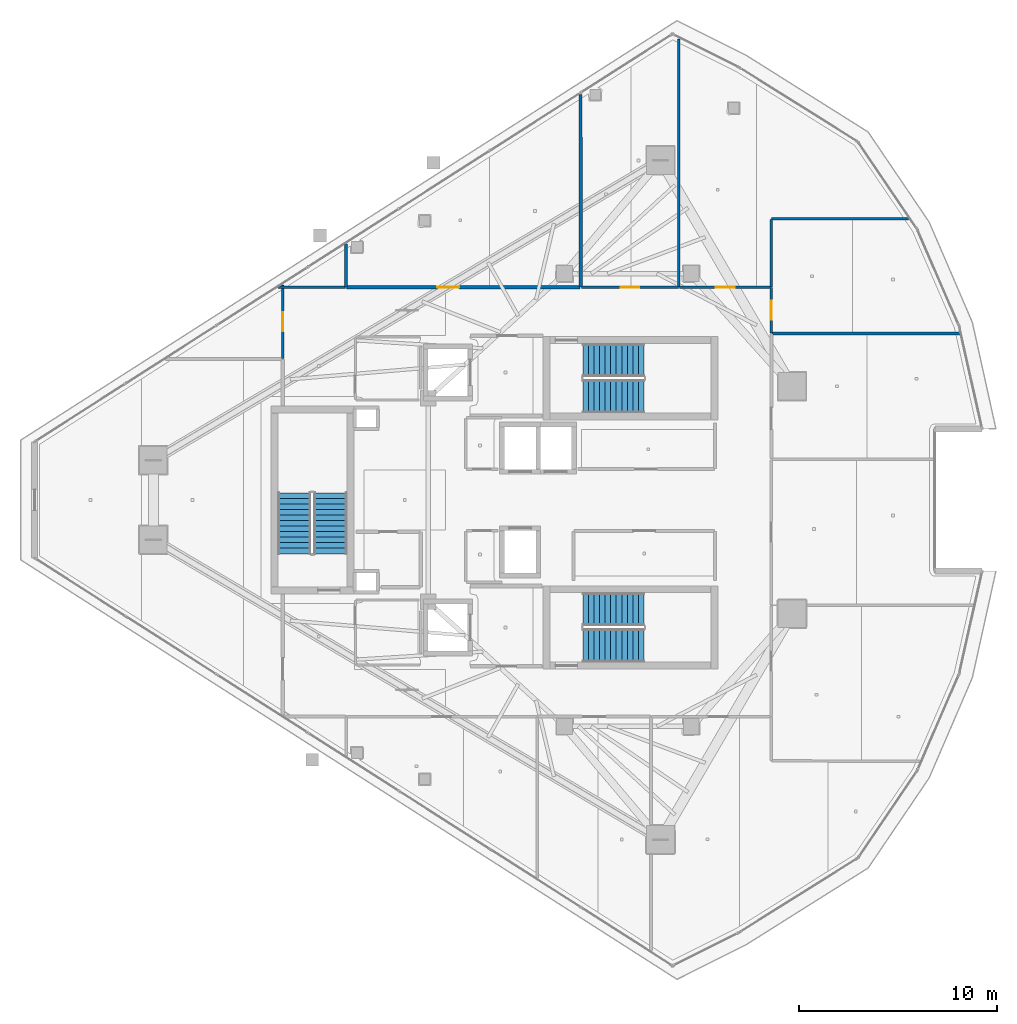
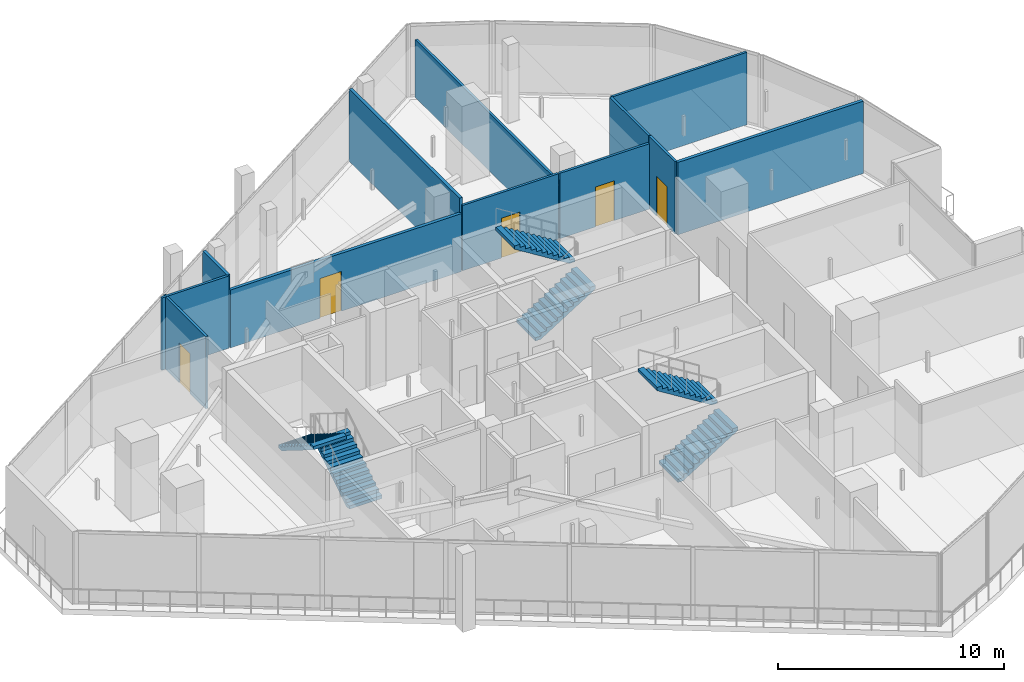
# One storey, part 23 of 30: 12 walls, 6 stair flights, 5 doors, 5 openings, 3 elements without a shape of their own.
"""IFC4 building model written with IfcOpenShell, lengths in metres."""

from ifc_helpers import new_model, si_unit, direction, frame, frame_2d, origin, place, context, subcontext, project, spatial, polyline, rectangle, outline, extrude, material, layer, layer_set, type_object, element, fill, aggregate, save


model = new_model("IFC4")

# Units and contexts
model_context = context("Model", 3, precision=1e-05, world=origin(), true_north=direction((0.0, 1.0)))
body_context = subcontext(model_context, "Body", "Model", "MODEL_VIEW")
ifc_project = project(units=[si_unit("LENGTHUNIT", "METRE"), si_unit("AREAUNIT", "SQUARE_METRE"), si_unit("VOLUMEUNIT", "CUBIC_METRE"), si_unit("PLANEANGLEUNIT", "RADIAN"), si_unit("MASSUNIT", "GRAM", prefix="KILO")], contexts=[model_context])

# Site, building, storey
site_placement = place(None, origin())
site = spatial("IfcSite", under=ifc_project, at=site_placement, CompositionType="ELEMENT")
building_placement = place(site_placement, origin())
building = spatial("IfcBuilding", under=site, at=building_placement, Name="Qorvath Tower", CompositionType="ELEMENT")
storey_placement = place(building_placement, frame((0.0, 0.0, 289.199951171875)))
storey = spatial("IfcBuildingStorey", under=building, at=storey_placement, Name="L67", CompositionType="ELEMENT", Elevation=289.199951171875)

# Wall
ifc_material_1 = material(Name="Double acoustic gypsum board on steel studs", Category="steel")
ifc_layer_1 = layer(ifc_material_1, 0.159912109375)
ifc_layer_set_1 = layer_set([ifc_layer_1], Name="IW-ACOUSTIC-160")
wall_type_1 = type_object("IfcWallType", Name="IW-ACOUSTIC-160", PredefinedType="PARTITIONING", material=ifc_layer_set_1)
wall_1_placement = place(storey_placement, frame((-34.64990234375, 12.936279296875, 0.0), z_axis=(0.0, 0.0, 1.0), x_axis=(0.0, -1.0, 0.0)))
element("IfcWall", 1, at=wall_1_placement, inside=storey, type_object=wall_type_1, Name="Interior Partition IW-T1-L67-027", PredefinedType="PARTITIONING", context=body_context, shape_type="SweptSolid", body=[
    extrude(rectangle(XDim=2.153076171875, YDim=0.159912109375, at=frame_2d((1.07666015625, 0.0))), origin(), (0.0, 0.0, 1.0), 3.91015625),
])

# Wall, opening, door
wall_2_placement = place(storey_placement, frame((-34.625, 10.758056640625, 0.0), z_axis=(0.0, 0.0, 1.0), x_axis=(1.0, 0.0, 0.0)))
wall_2 = element("IfcWall", 2, at=wall_2_placement, inside=storey, type_object=wall_type_1, Name="Interior Partition IW-T1-L67-028", PredefinedType="PARTITIONING", context=body_context, shape_type="SweptSolid", body=[
    extrude(rectangle(XDim=11.814208984375, YDim=0.159912109375, at=frame_2d((5.9072265625, 0.0))), origin(), (0.0, 0.0, 1.0), 3.130126953125),
])
opening_1_placement = place(wall_2_placement, frame((4.591796875, 0.0, 0.0)))
opening_1 = element("IfcOpeningElement", 3, at=opening_1_placement, cuts=wall_2, Name="Opening D-T1-L67-08", PredefinedType="OPENING", context=body_context, shape_type="SweptSolid", body=[
    extrude(rectangle(XDim=1.10009765625, YDim=2.14990234375, at=frame_2d((0.550048828125, 1.074951171875))), frame((0.0, 0.08984375, 0.0), z_axis=(0.0, -1.0, 0.0), x_axis=(1.0, 0.0, 0.0)), (0.0, 0.0, 1.0), 0.179931640625),
])
ifc_material_2 = material(Name="Anodised aluminium acoustic framed glass", Category="aluminium")
door_type_1 = type_object("IfcDoorType", Name="D-03", OperationType="NOTDEFINED", PredefinedType="DOOR", material=ifc_material_2)
door_1_placement = place(opening_1_placement, origin())
door_1 = element("IfcDoor", 4, at=door_1_placement, inside=storey, type_object=door_type_1, Name="L67-01 Client Services Office Door D-T1-L67-08", OperationType="SINGLE_SWING_RIGHT", OverallHeight=2.14990234375, OverallWidth=1.10009765625, PredefinedType="DOOR", context=body_context, shape_type="SweptSolid", body=[
    extrude(rectangle(XDim=1.10009765625, YDim=2.14990234375, at=frame_2d((0.550048828125, 1.074951171875))), frame((0.0, 0.02490234375, 0.0), z_axis=(0.0, -1.0, 0.0), x_axis=(1.0, 0.0, 0.0)), (0.0, 0.0, 1.0), 0.050048828125),
])
fill(opening_1, door_1)

# Walls
wall_3_placement = place(storey_placement, frame((-22.785888671875, 10.783203125, 0.0), z_axis=(0.0, 0.0, 1.0), x_axis=(-0.000351158802, 0.999999938344, 0.0)))
element("IfcWall", 5, at=wall_3_placement, inside=storey, type_object=wall_type_1, Name="Interior Partition IW-T1-L67-029", PredefinedType="PARTITIONING", context=body_context, shape_type="SweptSolid", body=[
    extrude(rectangle(XDim=9.7333984375, YDim=0.159912109375, at=frame_2d((4.86669921875, 0.0))), origin(), (0.0, 0.0, 1.0), 3.91015625),
])
wall_4_placement = place(storey_placement, frame((-3.639892578125, 8.41796875, 0.0), z_axis=(0.0, 0.0, 1.0), x_axis=(-1.0, 0.0, 0.0)))
element("IfcWall", 6, at=wall_4_placement, inside=storey, type_object=wall_type_1, Name="Interior Partition IW-T1-L67-048", PredefinedType="PARTITIONING", context=body_context, shape_type="SweptSolid", body=[
    extrude(rectangle(XDim=9.477294921875, YDim=0.159912109375, at=frame_2d((4.73876953125, 0.0))), origin(), (0.0, 0.0, 1.0), 3.91015625),
])

# Wall, opening, door
ifc_material_3 = material(Name="Gypsum board on metal studs with mineral wool", Category="gypsum")
ifc_layer_2 = layer(ifc_material_3, 0.125)
ifc_layer_set_2 = layer_set([ifc_layer_2], Name="IW-PART-125")
wall_type_2 = type_object("IfcWallType", Name="IW-PART-125", PredefinedType="PARTITIONING", material=ifc_layer_set_2)
wall_5_placement = place(storey_placement, frame((-22.752685546875, 10.758056640625, 0.0), z_axis=(0.0, 0.0, 1.0), x_axis=(1.0, 0.0, 0.0)))
wall_5 = element("IfcWall", 7, at=wall_5_placement, inside=storey, type_object=wall_type_2, Name="Interior Partition IW-T1-L67-030", PredefinedType="PARTITIONING", context=body_context, shape_type="SweptSolid", body=[
    extrude(rectangle(XDim=4.910400390625, YDim=0.125, at=frame_2d((2.455078125, 0.0))), origin(), (0.0, 0.0, 1.0), 3.529052734375),
])
opening_2_placement = place(wall_5_placement, frame((1.980224609375, 0.0, 0.0)))
opening_2 = element("IfcOpeningElement", 8, at=opening_2_placement, cuts=wall_5, Name="Opening D-T1-L67-09", PredefinedType="OPENING", context=body_context, shape_type="SweptSolid", body=[
    extrude(rectangle(XDim=0.949951171875, YDim=2.14990234375, at=frame_2d((0.47509765625, 1.074951171875))), frame((0.0, 0.072509765625, 0.0), z_axis=(0.0, -1.0, 0.0), x_axis=(1.0, 0.0, 0.0)), (0.0, 0.0, 1.0), 0.14501953125),
])
ifc_material_4 = material(Name="Solid-core American white oak veneer", Category="wood")
door_type_2 = type_object("IfcDoorType", Name="D-01", OperationType="NOTDEFINED", PredefinedType="DOOR", material=ifc_material_4)
door_2_placement = place(opening_2_placement, origin())
door_2 = element("IfcDoor", 9, at=door_2_placement, inside=storey, type_object=door_type_2, Name="L67-02 Staff Wellness Studio Door D-T1-L67-09", OperationType="SINGLE_SWING_LEFT", OverallHeight=2.14990234375, OverallWidth=0.949951171875, PredefinedType="DOOR", context=body_context, shape_type="SweptSolid", body=[
    extrude(rectangle(XDim=0.949951171875, YDim=2.14990234375, at=frame_2d((0.47509765625, 1.074951171875))), frame((0.0, 0.02490234375, 0.0), z_axis=(0.0, -1.0, 0.0), x_axis=(1.0, 0.0, 0.0)), (0.0, 0.0, 1.0), 0.050048828125),
])
fill(opening_2, door_2)

# Wall
wall_6_placement = place(storey_placement, frame((-17.8173828125, 10.783203125, 0.0), z_axis=(0.0, 0.0, 1.0), x_axis=(0.0, 1.0, 0.0)))
element("IfcWall", 10, at=wall_6_placement, inside=storey, type_object=wall_type_2, Name="Interior Partition IW-T1-L67-031", PredefinedType="PARTITIONING", context=body_context, shape_type="SweptSolid", body=[
    extrude(rectangle(XDim=12.5380859375, YDim=0.125, at=frame_2d((6.26904296875, 0.0))), origin(), (0.0, 0.0, 1.0), 3.130126953125),
])

# Wall, opening, door
wall_7_placement = place(storey_placement, frame((-17.78466796875, 10.758056640625, 0.0), z_axis=(0.0, 0.0, 1.0), x_axis=(1.0, 0.0, 0.0)))
wall_7 = element("IfcWall", 11, at=wall_7_placement, inside=storey, type_object=wall_type_2, Name="Interior Partition IW-T1-L67-032", PredefinedType="PARTITIONING", context=body_context, shape_type="SweptSolid", body=[
    extrude(rectangle(XDim=4.60986328125, YDim=0.125, at=frame_2d((2.304931640625, 0.0))), origin(), (0.0, 0.0, 1.0), 3.529052734375),
])
opening_3_placement = place(wall_7_placement, frame((1.829833984375, 0.0, 0.0)))
opening_3 = element("IfcOpeningElement", 12, at=opening_3_placement, cuts=wall_7, Name="Opening D-T1-L67-10", PredefinedType="OPENING", context=body_context, shape_type="SweptSolid", body=[
    extrude(rectangle(XDim=0.949951171875, YDim=2.14990234375, at=frame_2d((0.47509765625, 1.074951171875))), frame((0.0, 0.072509765625, 0.0), z_axis=(0.0, -1.0, 0.0), x_axis=(1.0, 0.0, 0.0)), (0.0, 0.0, 1.0), 0.14501953125),
])
door_3_placement = place(opening_3_placement, origin())
door_3 = element("IfcDoor", 13, at=door_3_placement, inside=storey, type_object=door_type_2, Name="L67-03 Design Pin-Up Atelier Door D-T1-L67-10", OperationType="SINGLE_SWING_RIGHT", OverallHeight=2.14990234375, OverallWidth=0.949951171875, PredefinedType="DOOR", context=body_context, shape_type="SweptSolid", body=[
    extrude(rectangle(XDim=0.949951171875, YDim=2.14990234375, at=frame_2d((0.47509765625, 1.074951171875))), frame((0.0, 0.02490234375, 0.0), z_axis=(0.0, -1.0, 0.0), x_axis=(1.0, 0.0, 0.0)), (0.0, 0.0, 1.0), 0.050048828125),
])
fill(opening_3, door_3)

# Walls
wall_8_placement = place(storey_placement, frame((-13.14990234375, 10.783203125, 0.0), z_axis=(0.0, 0.0, 1.0), x_axis=(0.0, 1.0, 0.0)))
element("IfcWall", 14, at=wall_8_placement, inside=storey, type_object=wall_type_2, Name="Interior Partition IW-T1-L67-033", PredefinedType="PARTITIONING", context=body_context, shape_type="SweptSolid", body=[
    extrude(rectangle(XDim=3.4169921875, YDim=0.125, at=frame_2d((1.70849609375, 0.0))), origin(), (0.0, 0.0, 1.0), 3.91015625),
])
wall_9_placement = place(storey_placement, frame((-13.125, 14.22509765625, 0.0), z_axis=(0.0, 0.0, 1.0), x_axis=(0.999998736945, 0.001589373898, 0.0)))
element("IfcWall", 15, at=wall_9_placement, inside=storey, type_object=wall_type_2, Name="Interior Partition IW-T1-L67-034", PredefinedType="PARTITIONING", context=body_context, shape_type="SweptSolid", body=[
    extrude(rectangle(XDim=6.912353515625, YDim=0.125, at=frame_2d((3.4560546875, 0.0))), origin(), (0.0, 0.0, 1.0), 3.91015625),
])

# Wall, opening, door
wall_10_placement = place(storey_placement, frame((-13.14208984375, 10.75830078125, 0.0), z_axis=(0.0, 0.0, 1.0), x_axis=(0.0, -1.0, 0.0)))
wall_10 = element("IfcWall", 16, at=wall_10_placement, inside=storey, type_object=wall_type_2, Name="Interior Partition IW-T1-L67-050", PredefinedType="PARTITIONING", context=body_context, shape_type="SweptSolid", body=[
    extrude(rectangle(XDim=2.307373046875, YDim=0.125, at=frame_2d((1.15380859375, 0.0))), origin(), (0.0, 0.0, 1.0), 3.91015625),
])
opening_4_placement = place(wall_10_placement, frame((0.6787109375, 0.0, 0.0)))
opening_4 = element("IfcOpeningElement", 17, at=opening_4_placement, cuts=wall_10, Name="Opening D-T1-L67-17", PredefinedType="OPENING", context=body_context, shape_type="SweptSolid", body=[
    extrude(rectangle(XDim=0.949951171875, YDim=2.14990234375, at=frame_2d((0.47509765625, 1.074951171875))), frame((0.0, 0.072509765625, 0.0), z_axis=(0.0, -1.0, 0.0), x_axis=(1.0, 0.0, 0.0)), (0.0, 0.0, 1.0), 0.14501953125),
])
door_4_placement = place(opening_4_placement, origin())
door_4 = element("IfcDoor", 18, at=door_4_placement, inside=storey, type_object=door_type_2, Name="L67-10 Focus Collaboration Pod Door D-T1-L67-17", OperationType="SINGLE_SWING_LEFT", OverallHeight=2.14990234375, OverallWidth=0.949951171875, PredefinedType="DOOR", context=body_context, shape_type="SweptSolid", body=[
    extrude(rectangle(XDim=0.949951171875, YDim=2.14990234375, at=frame_2d((0.47509765625, 1.074951171875))), frame((0.0, 0.02490234375, 0.0), z_axis=(0.0, -1.0, 0.0), x_axis=(1.0, 0.0, 0.0)), (0.0, 0.0, 1.0), 0.050048828125),
])
fill(opening_4, door_4)

wall_11_placement = place(storey_placement, frame((-37.85791015625, 7.159912109375, 0.0), z_axis=(0.0, 0.0, 1.0), x_axis=(0.0, 1.0, 0.0)))
wall_11 = element("IfcWall", 19, at=wall_11_placement, inside=storey, type_object=wall_type_2, Name="Interior Partition IW-T1-L67-055", PredefinedType="PARTITIONING", context=body_context, shape_type="SweptSolid", body=[
    extrude(rectangle(XDim=3.72607421875, YDim=0.125, at=frame_2d((1.863037109375, 0.0))), origin(), (0.0, 0.0, 1.0), 3.91015625),
])
opening_5_placement = place(wall_11_placement, frame((1.387939453125, 0.0, 0.0)))
opening_5 = element("IfcOpeningElement", 20, at=opening_5_placement, cuts=wall_11, Name="Opening D-T1-L67-19", PredefinedType="OPENING", context=body_context, shape_type="SweptSolid", body=[
    extrude(rectangle(XDim=0.949951171875, YDim=2.14990234375, at=frame_2d((0.47509765625, 1.074951171875))), frame((0.0, 0.072509765625, 0.0), z_axis=(0.0, -1.0, 0.0), x_axis=(1.0, 0.0, 0.0)), (0.0, 0.0, 1.0), 0.14501953125),
])
door_5_placement = place(opening_5_placement, origin())
door_5 = element("IfcDoor", 21, at=door_5_placement, inside=storey, type_object=door_type_2, Name="L67-12 Executive Partner Office Door D-T1-L67-19", OperationType="SINGLE_SWING_LEFT", OverallHeight=2.14990234375, OverallWidth=0.949951171875, PredefinedType="DOOR", context=body_context, shape_type="SweptSolid", body=[
    extrude(rectangle(XDim=0.949951171875, YDim=2.14990234375, at=frame_2d((0.47509765625, 1.074951171875))), frame((0.0, 0.02490234375, 0.0), z_axis=(0.0, -1.0, 0.0), x_axis=(1.0, 0.0, 0.0)), (0.0, 0.0, 1.0), 0.050048828125),
])
fill(opening_5, door_5)

# Wall
wall_12_placement = place(storey_placement, frame((-34.68310546875, 10.758056640625, 0.0), z_axis=(0.0, 0.0, 1.0), x_axis=(-1.0, 0.0, 0.0)))
element("IfcWall", 22, at=wall_12_placement, inside=storey, type_object=wall_type_2, Name="Interior Partition IW-T1-L67-056", PredefinedType="PARTITIONING", context=body_context, shape_type="SweptSolid", body=[
    extrude(rectangle(XDim=3.419921875, YDim=0.125, at=frame_2d((1.7099609375, 0.0))), origin(), (0.0, 0.0, 1.0), 3.91015625),
])

# Stair, stair flights
ifc_material_5 = material(Name="Concrete C50/60", Category="concrete")
stair_type = type_object("IfcStairType", Name="ST-H420", PredefinedType="HALF_TURN_STAIR", material=ifc_material_5)
stair_1_placement = place(storey_placement, origin())
stair_1 = element("IfcStair", 23, at=stair_1_placement, inside=storey, type_object=stair_type, Name="L67 Tower Exit Stair 1", PredefinedType="HALF_TURN_STAIR")
ifc_material_6 = material(Name="Concrete C50/60", Category="concrete")
ifc_layer_3 = layer(ifc_material_6, 0.14990234375)
ifc_layer_set_3 = layer_set([ifc_layer_3], Name="SF-H420")
stair_flight_type = type_object("IfcStairFlightType", Name="SF-H420", PredefinedType="STRAIGHT", material=ifc_layer_set_3)
stair_flight_1_placement = place(storey_placement, frame((-22.669921875, 5.239990234375, 0.0), z_axis=(0.0, 0.0, 1.0), x_axis=(1.0, 0.0, 0.0)))
stair_flight_1 = element("IfcStairFlight", 24, at=stair_flight_1_placement, type_object=stair_flight_type, Name="TS1 flight 1", NumberOfRisers=12, NumberOfTreads=11, PredefinedType="STRAIGHT", RiserHeight=0.175, TreadLength=0.28, context=body_context, shape_type="SweptSolid", body=[
    extrude(outline(polyline([(0.0, 0.0), (0.0, 0.175048828125), (0.280029296875, 0.175048828125), (0.280029296875, 0.35009765625), (0.56005859375, 0.35009765625), (0.56005859375, 0.52490234375), (0.840087890625, 0.52490234375), (0.840087890625, 0.699951171875), (1.1201171875, 0.699951171875), (1.1201171875, 0.875), (1.39990234375, 0.875), (1.39990234375, 1.050048828125), (1.679931640625, 1.050048828125), (1.679931640625, 1.22509765625), (1.9599609375, 1.22509765625), (1.9599609375, 1.39990234375), (2.239990234375, 1.39990234375), (2.239990234375, 1.574951171875), (2.52001953125, 1.574951171875), (2.52001953125, 1.75), (2.800048828125, 1.75), (2.800048828125, 1.925048828125), (3.080078125, 1.925048828125), (3.080078125, 2.10009765625), (3.080078125, 1.748291015625), (0.28271484375, 0.0), (0.0, 0.0)])), frame((0.0, 0.83984375, 0.0), z_axis=(0.0, -1.0, 0.0), x_axis=(1.0, 0.0, 0.0)), (0.0, 0.0, 1.0), 1.679931640625),
])
stair_flight_2_placement = place(storey_placement, frame((-19.590087890625, 7.070068359375, 2.10009765625), z_axis=(0.0, 0.0, 1.0), x_axis=(-1.0, 0.0, 0.0)))
stair_flight_2 = element("IfcStairFlight", 25, at=stair_flight_2_placement, type_object=stair_flight_type, Name="TS1 flight 2", NumberOfRisers=12, NumberOfTreads=11, PredefinedType="STRAIGHT", RiserHeight=0.175, TreadLength=0.28, context=body_context, shape_type="SweptSolid", body=[
    extrude(outline(polyline([(0.0, 0.0), (0.0, 0.175048828125), (0.280029296875, 0.175048828125), (0.280029296875, 0.35009765625), (0.56005859375, 0.35009765625), (0.56005859375, 0.52490234375), (0.840087890625, 0.52490234375), (0.840087890625, 0.699951171875), (1.1201171875, 0.699951171875), (1.1201171875, 0.875), (1.39990234375, 0.875), (1.39990234375, 1.050048828125), (1.679931640625, 1.050048828125), (1.679931640625, 1.22509765625), (1.9599609375, 1.22509765625), (1.9599609375, 1.39990234375), (2.239990234375, 1.39990234375), (2.239990234375, 1.574951171875), (2.52001953125, 1.574951171875), (2.52001953125, 1.75), (2.800048828125, 1.75), (2.800048828125, 1.925048828125), (3.080078125, 1.925048828125), (3.080078125, 2.10009765625), (3.080078125, 1.748291015625), (0.28271484375, 0.0), (0.0, 0.0)])), frame((0.0, 0.83984375, 0.0), z_axis=(0.0, -1.0, 0.0), x_axis=(1.0, 0.0, 0.0)), (0.0, 0.0, 1.0), 1.679931640625),
])
aggregate(stair_1, [stair_flight_1, stair_flight_2])

stair_2_placement = place(storey_placement, origin())
stair_2 = element("IfcStair", 26, at=stair_2_placement, inside=storey, type_object=stair_type, Name="L67 Tower Exit Stair 2", PredefinedType="HALF_TURN_STAIR")
stair_flight_3_placement = place(storey_placement, frame((-22.669921875, -7.360107421875, 0.0), z_axis=(0.0, 0.0, 1.0), x_axis=(1.0, 0.0, 0.0)))
stair_flight_3 = element("IfcStairFlight", 27, at=stair_flight_3_placement, type_object=stair_flight_type, Name="TS2 flight 1", NumberOfRisers=12, NumberOfTreads=11, PredefinedType="STRAIGHT", RiserHeight=0.175, TreadLength=0.28, context=body_context, shape_type="SweptSolid", body=[
    extrude(outline(polyline([(0.0, 0.0), (0.0, 0.175048828125), (0.280029296875, 0.175048828125), (0.280029296875, 0.35009765625), (0.56005859375, 0.35009765625), (0.56005859375, 0.52490234375), (0.840087890625, 0.52490234375), (0.840087890625, 0.699951171875), (1.1201171875, 0.699951171875), (1.1201171875, 0.875), (1.39990234375, 0.875), (1.39990234375, 1.050048828125), (1.679931640625, 1.050048828125), (1.679931640625, 1.22509765625), (1.9599609375, 1.22509765625), (1.9599609375, 1.39990234375), (2.239990234375, 1.39990234375), (2.239990234375, 1.574951171875), (2.52001953125, 1.574951171875), (2.52001953125, 1.75), (2.800048828125, 1.75), (2.800048828125, 1.925048828125), (3.080078125, 1.925048828125), (3.080078125, 2.10009765625), (3.080078125, 1.748291015625), (0.28271484375, 0.0), (0.0, 0.0)])), frame((0.0, 0.83984375, 0.0), z_axis=(0.0, -1.0, 0.0), x_axis=(1.0, 0.0, 0.0)), (0.0, 0.0, 1.0), 1.679931640625),
])
stair_flight_4_placement = place(storey_placement, frame((-19.590087890625, -5.530029296875, 2.10009765625), z_axis=(0.0, 0.0, 1.0), x_axis=(-1.0, 0.0, 0.0)))
stair_flight_4 = element("IfcStairFlight", 28, at=stair_flight_4_placement, type_object=stair_flight_type, Name="TS2 flight 2", NumberOfRisers=12, NumberOfTreads=11, PredefinedType="STRAIGHT", RiserHeight=0.175, TreadLength=0.28, context=body_context, shape_type="SweptSolid", body=[
    extrude(outline(polyline([(0.0, 0.0), (0.0, 0.175048828125), (0.280029296875, 0.175048828125), (0.280029296875, 0.35009765625), (0.56005859375, 0.35009765625), (0.56005859375, 0.52490234375), (0.840087890625, 0.52490234375), (0.840087890625, 0.699951171875), (1.1201171875, 0.699951171875), (1.1201171875, 0.875), (1.39990234375, 0.875), (1.39990234375, 1.050048828125), (1.679931640625, 1.050048828125), (1.679931640625, 1.22509765625), (1.9599609375, 1.22509765625), (1.9599609375, 1.39990234375), (2.239990234375, 1.39990234375), (2.239990234375, 1.574951171875), (2.52001953125, 1.574951171875), (2.52001953125, 1.75), (2.800048828125, 1.75), (2.800048828125, 1.925048828125), (3.080078125, 1.925048828125), (3.080078125, 2.10009765625), (3.080078125, 1.748291015625), (0.28271484375, 0.0), (0.0, 0.0)])), frame((0.0, 0.83984375, 0.0), z_axis=(0.0, -1.0, 0.0), x_axis=(1.0, 0.0, 0.0)), (0.0, 0.0, 1.0), 1.679931640625),
])
aggregate(stair_2, [stair_flight_3, stair_flight_4])

stair_3_placement = place(storey_placement, origin())
stair_3 = element("IfcStair", 29, at=stair_3_placement, inside=storey, type_object=stair_type, Name="L67 Tower Exit Stair 3", PredefinedType="HALF_TURN_STAIR")
stair_flight_5_placement = place(storey_placement, frame((-35.43994140625, -2.719970703125, 0.0), z_axis=(0.0, 0.0, 1.0), x_axis=(0.0, 1.0, 0.0)))
stair_flight_5 = element("IfcStairFlight", 30, at=stair_flight_5_placement, type_object=stair_flight_type, Name="TS3 flight 1", NumberOfRisers=12, NumberOfTreads=11, PredefinedType="STRAIGHT", RiserHeight=0.175, TreadLength=0.28, context=body_context, shape_type="SweptSolid", body=[
    extrude(outline(polyline([(0.0, 0.0), (0.0, 0.175048828125), (0.280029296875, 0.175048828125), (0.280029296875, 0.35009765625), (0.56005859375, 0.35009765625), (0.56005859375, 0.52490234375), (0.840087890625, 0.52490234375), (0.840087890625, 0.699951171875), (1.1201171875, 0.699951171875), (1.1201171875, 0.875), (1.39990234375, 0.875), (1.39990234375, 1.050048828125), (1.679931640625, 1.050048828125), (1.679931640625, 1.22509765625), (1.9599609375, 1.22509765625), (1.9599609375, 1.39990234375), (2.239990234375, 1.39990234375), (2.239990234375, 1.574951171875), (2.52001953125, 1.574951171875), (2.52001953125, 1.75), (2.800048828125, 1.75), (2.800048828125, 1.925048828125), (3.080078125, 1.925048828125), (3.080078125, 2.10009765625), (3.080078125, 1.748291015625), (0.28271484375, 0.0), (0.0, 0.0)])), frame((0.0, 0.83984375, 0.0), z_axis=(0.0, -1.0, 0.0), x_axis=(1.0, 0.0, 0.0)), (0.0, 0.0, 1.0), 1.679931640625),
])
stair_flight_6_placement = place(storey_placement, frame((-37.27001953125, 0.360107421875, 2.10009765625), z_axis=(0.0, 0.0, 1.0), x_axis=(0.0, -1.0, 0.0)))
stair_flight_6 = element("IfcStairFlight", 31, at=stair_flight_6_placement, type_object=stair_flight_type, Name="TS3 flight 2", NumberOfRisers=12, NumberOfTreads=11, PredefinedType="STRAIGHT", RiserHeight=0.175, TreadLength=0.28, context=body_context, shape_type="SweptSolid", body=[
    extrude(outline(polyline([(0.0, 0.0), (0.0, 0.175048828125), (0.280029296875, 0.175048828125), (0.280029296875, 0.35009765625), (0.56005859375, 0.35009765625), (0.56005859375, 0.52490234375), (0.840087890625, 0.52490234375), (0.840087890625, 0.699951171875), (1.1201171875, 0.699951171875), (1.1201171875, 0.875), (1.39990234375, 0.875), (1.39990234375, 1.050048828125), (1.679931640625, 1.050048828125), (1.679931640625, 1.22509765625), (1.9599609375, 1.22509765625), (1.9599609375, 1.39990234375), (2.239990234375, 1.39990234375), (2.239990234375, 1.574951171875), (2.52001953125, 1.574951171875), (2.52001953125, 1.75), (2.800048828125, 1.75), (2.800048828125, 1.925048828125), (3.080078125, 1.925048828125), (3.080078125, 2.10009765625), (3.080078125, 1.748291015625), (0.28271484375, 0.0), (0.0, 0.0)])), frame((0.0, 0.83984375, 0.0), z_axis=(0.0, -1.0, 0.0), x_axis=(1.0, 0.0, 0.0)), (0.0, 0.0, 1.0), 1.679931640625),
])
aggregate(stair_3, [stair_flight_5, stair_flight_6])

save(model, "model.ifc")
